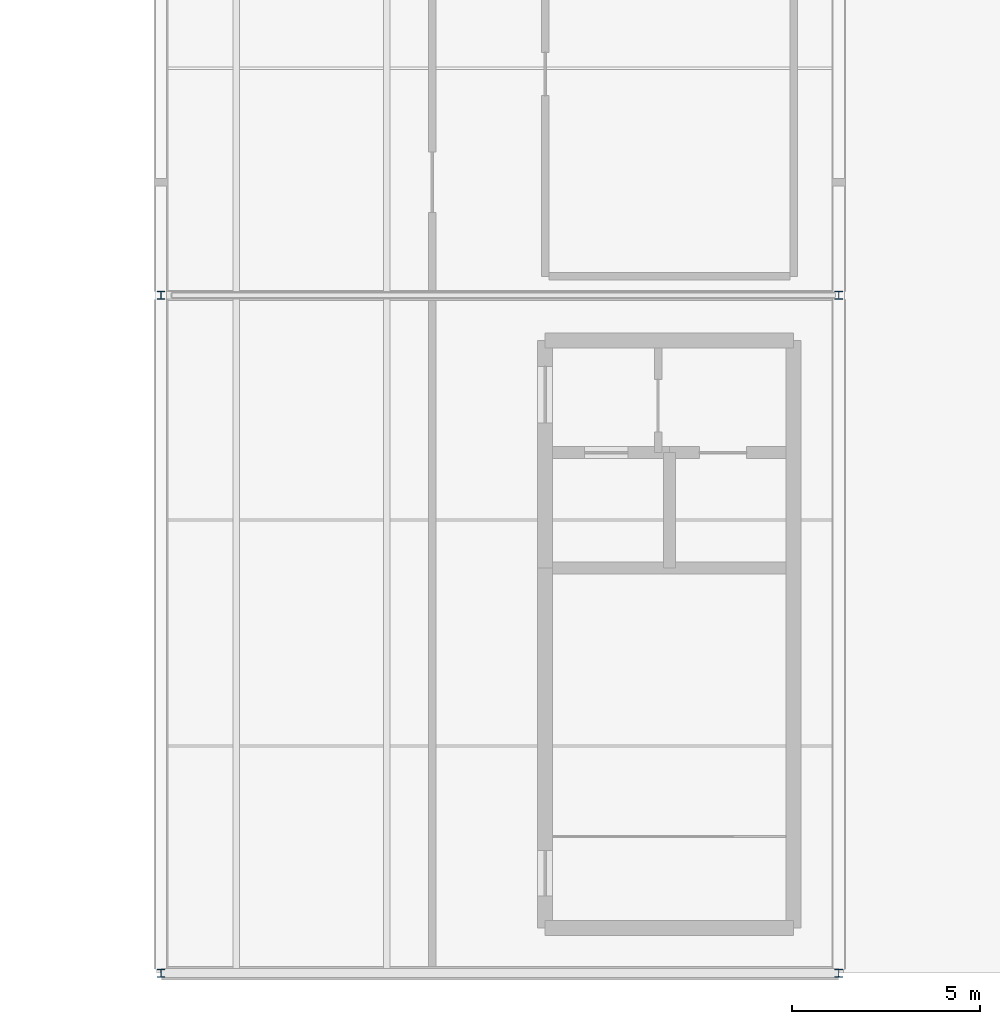
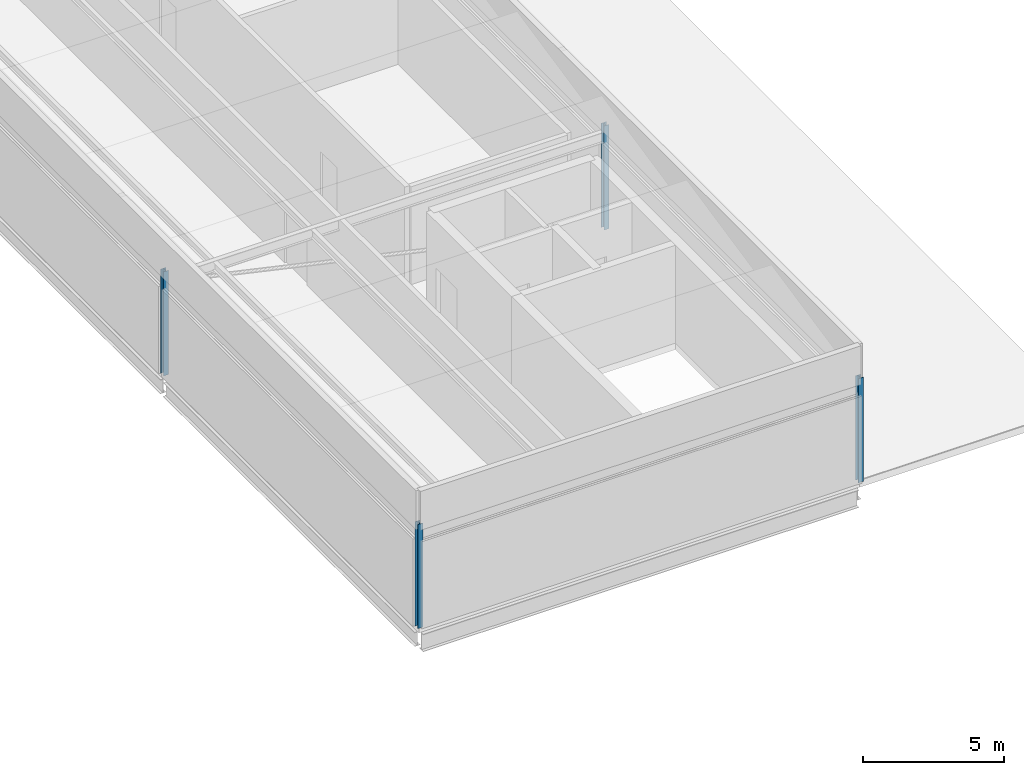
# One storey, part 4 of 13: 4 columns.
"""IFC4 building model written with IfcOpenShell, lengths in metres."""

from ifc_helpers import new_model, si_unit, direction, frame, origin, origin_2d, place, context, subcontext, project, spatial, i_section, extrude, material, material_profile, profile_set, type_object, element, save


model = new_model("IFC4")

# Units and contexts
model_context = context("Model", 3, precision=1e-05, world=origin(), true_north=direction((0.0, 1.0)))
body_context = subcontext(model_context, "Body", "Model", "MODEL_VIEW")
ifc_project = project(units=[si_unit("LENGTHUNIT", "METRE"), si_unit("AREAUNIT", "SQUARE_METRE"), si_unit("VOLUMEUNIT", "CUBIC_METRE"), si_unit("PLANEANGLEUNIT", "RADIAN"), si_unit("MASSUNIT", "GRAM", prefix="KILO")], contexts=[model_context])

# Site, building, storey
site_placement = place(None, origin())
site = spatial("IfcSite", under=ifc_project, at=site_placement, CompositionType="ELEMENT")
building_placement = place(site_placement, origin())
building = spatial("IfcBuilding", under=site, at=building_placement, Name="Kisiwana Market Hall", CompositionType="ELEMENT")
storey_placement = place(building_placement, frame((0.0, 0.0, 69.89990234375)))
storey = spatial("IfcBuildingStorey", under=building, at=storey_placement, Name="L16", CompositionType="ELEMENT", Elevation=69.89990234375)

# Columns
ifc_material = material(Name="Steel S355", Category="steel")
ifc_material_profile = material_profile(ifc_material, i_section(OverallWidth=0.205810546875, OverallDepth=0.209716796875, WebThickness=0.009521484375, FlangeThickness=0.01416015625, FilletRadius=0.01025390625, at=origin_2d()), Name="UC 203x203x60")
ifc_profile_set = profile_set([ifc_material_profile], Name="Steel S355")
column_type = type_object("IfcColumnType", Name="COL-STL-UC060", PredefinedType="COLUMN", material=ifc_profile_set)
for number, where, z_axis, x_axis, name in (
    (1, (171.0, 18.0, 0.0), (0.0, 0.0, 1.0), (1.0, 0.0, 0.0), "Column C/20 (L16) C-1519"),
    (2, (171.0, 36.0, 0.0), (0.0, 0.0, 1.0), (1.0, 0.0, 0.0), "Column E/20 (L16) C-1520"),
    (3, (189.0, 18.0, 0.0), (0.0, 0.0, 1.0), (1.0, 0.0, 0.0), "Column C/22 (L16) C-1524"),
    (4, (189.0, 36.0, 0.0), (0.0, 0.0, 1.0), (1.0, 0.0, 0.0), "Column E/22 (L16) C-1525"),
):
    element("IfcColumn", number, at=place(storey_placement, frame(where, z_axis=z_axis, x_axis=x_axis)), inside=storey, type_object=column_type, Name=name, PredefinedType="COLUMN", context=body_context, shape_type="SweptSolid", body=[
        extrude(i_section(OverallWidth=0.205810546875, OverallDepth=0.209716796875, WebThickness=0.009521484375, FlangeThickness=0.01416015625, FilletRadius=0.01025390625, at=origin_2d()), origin(), (0.0, 0.0, 1.0), 4.5),
    ])

save(model, "model.ifc")
